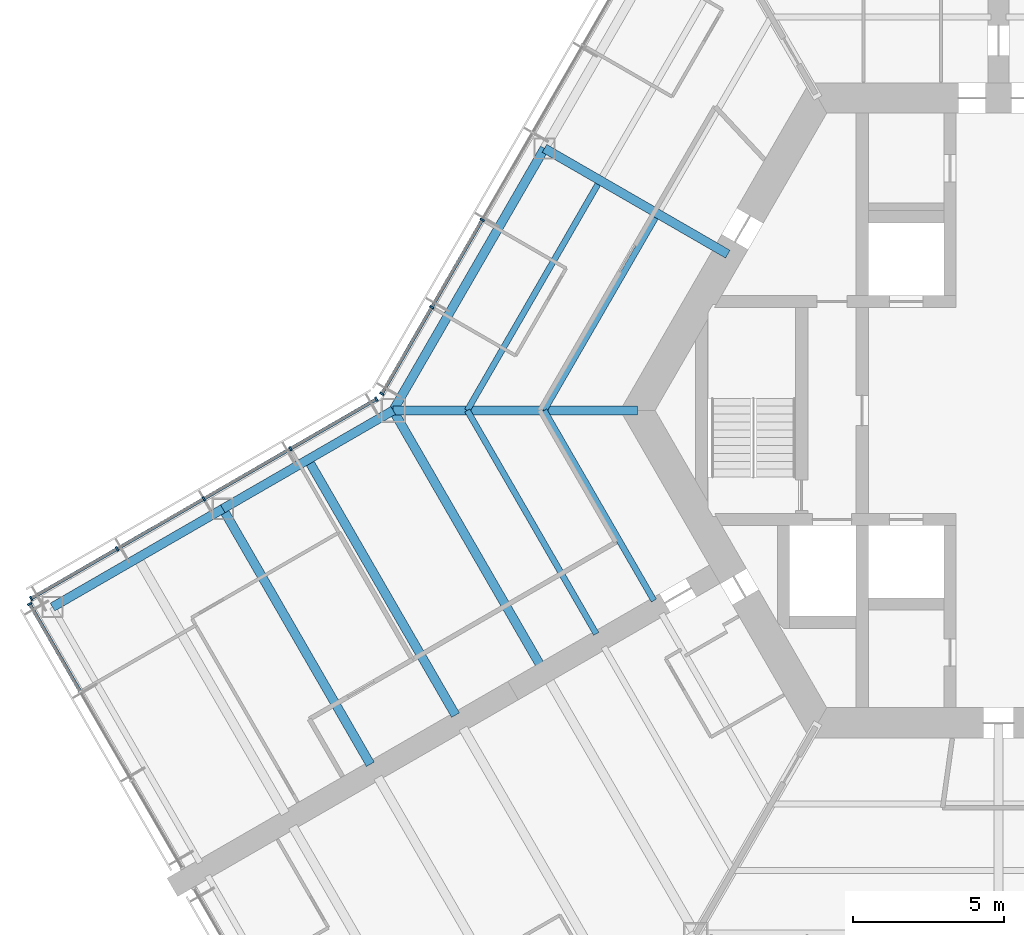
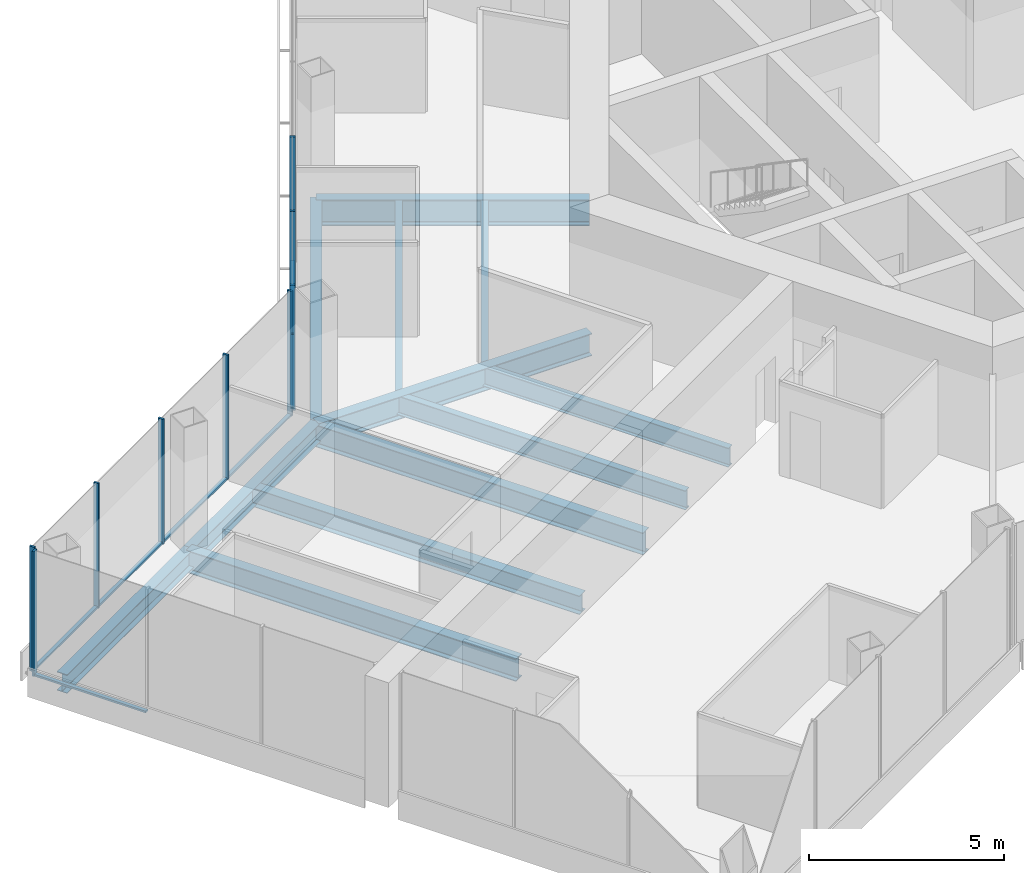
# One storey, part 4 of 18: 16 members, 12 beams, 3 elements without a shape of their own.
"""IFC4 building model written with IfcOpenShell, lengths in metres."""

import ifcopenshell
import ifcopenshell.guid

model = None  # the IFC model being written
_history = None  # IfcOwnerHistory: only IFC2X3 demands one
_inside = {}  # id of a spatial element -> (the spatial element, [elements in it])
_under = {}  # id of a project, library or spatial element -> (it, [spatial elements below it])
_declared = {}  # id of a project -> (the project, [libraries it declares])
_typed = {}  # id of a type object -> (the type object, [elements of that type])
_made_of = {}  # id of a material, layer set ... -> (it, [elements and type objects made of it])


def new_model(schema):
    """Start an empty IFC model of exactly this schema.

    Asked for "IFC4X3", IfcOpenShell would pick the latest addendum, in which some entities
    have other attributes; the version numbers below select the first issue.
    IFC2X3 requires an IfcOwnerHistory on every rooted entity: one is made here for all.
    """
    global model, _history
    if schema == "IFC4X3":
        model = ifcopenshell.file(schema_version=(4, 3, 0, 0))
    else:
        model = ifcopenshell.file(schema=schema)
    _inside.clear()
    _under.clear()
    _declared.clear()
    _typed.clear()
    _made_of.clear()
    _history = None
    if model.schema == "IFC2X3":
        org = make("IfcOrganization", Name="unknown")
        user = make(
            "IfcPersonAndOrganization",
            ThePerson=make("IfcPerson", FamilyName="unknown"),
            TheOrganization=org,
        )
        app = make(
            "IfcApplication",
            ApplicationDeveloper=org,
            Version="unknown",
            ApplicationFullName="unknown",
            ApplicationIdentifier="unknown",
        )
        _history = make(
            "IfcOwnerHistory",
            OwningUser=user,
            OwningApplication=app,
            ChangeAction="ADDED",
            CreationDate=0,
        )
    return model


def make(cls, **values):
    """One entity of the class cls with the attributes given. An attribute that is None is left unset."""
    return model.create_entity(
        cls, **{name: value for name, value in values.items() if value is not None}
    )


def rooted(cls, **values):
    """An entity with a GlobalId (a new one), such as an element, a storey or a relation."""
    return make(cls, GlobalId=ifcopenshell.guid.new(), OwnerHistory=_history, **values)


def si_unit(unit_type, name, prefix=None):
    """IfcSIUnit, for example si_unit("LENGTHUNIT", "METRE", prefix="MILLI")."""
    return make("IfcSIUnit", UnitType=unit_type, Prefix=prefix, Name=name)


def assignment(units):
    """IfcUnitAssignment: the units of a project."""
    return None if units is None else make("IfcUnitAssignment", Units=units)


def point(xyz):
    """IfcCartesianPoint."""
    return None if xyz is None else make("IfcCartesianPoint", Coordinates=xyz)


def direction(xyz):
    """IfcDirection."""
    return None if xyz is None else make("IfcDirection", DirectionRatios=xyz)


def frame(location, z_axis=None, x_axis=None):
    """IfcAxis2Placement3D, a coordinate frame: its origin and axes. An axis left out is left unset."""
    return make(
        "IfcAxis2Placement3D",
        Location=point(location),
        Axis=direction(z_axis),
        RefDirection=direction(x_axis),
    )


def frame_2d(location, x_axis=None):
    """IfcAxis2Placement2D, a coordinate frame in the plane: its origin and x axis."""
    return make(
        "IfcAxis2Placement2D", Location=point(location), RefDirection=direction(x_axis)
    )


def origin():
    """The frame at (0, 0, 0) with its axes left unset."""
    return frame((0.0, 0.0, 0.0))


def origin_2d():
    """The frame at (0, 0) in the plane with its x axis left unset."""
    return frame_2d((0.0, 0.0))


def place(relative_to, where):
    """IfcLocalPlacement: puts the frame where relative to a parent placement (None: the world)."""
    return make(
        "IfcLocalPlacement", PlacementRelTo=relative_to, RelativePlacement=where
    )


def context(
    kind, dimensions, precision=None, world=None, true_north=None, identifier=None
):
    """IfcGeometricRepresentationContext, for example the 3D "Model" context."""
    return make(
        "IfcGeometricRepresentationContext",
        ContextIdentifier=identifier,
        ContextType=kind,
        CoordinateSpaceDimension=dimensions,
        Precision=precision,
        WorldCoordinateSystem=world,
        TrueNorth=true_north,
    )


def subcontext(parent, identifier, kind, view, scale=None):
    """IfcGeometricRepresentationSubContext, for example "Body" below "Model"."""
    return make(
        "IfcGeometricRepresentationSubContext",
        ContextIdentifier=identifier,
        ContextType=kind,
        ParentContext=parent,
        TargetScale=scale,
        TargetView=view,
    )


def project(units=None, contexts=None):
    """IfcProject with its units and contexts."""
    return rooted(
        "IfcProject",
        Name="project",
        RepresentationContexts=contexts,
        UnitsInContext=assignment(units),
    )


def spatial(cls, under=None, at=None, **own):
    """A site, building, storey or space (cls), placed at a placement, below another one or the project."""
    s = rooted(cls, ObjectPlacement=at, **own)
    if under is not None:
        _under.setdefault(under.id(), (under, []))[1].append(s)
    return s


def profile(cls, at=None, kind="AREA", **sizes):
    """A parametric profile (cls). Its sizes go by their IFC names, for example OverallWidth=200.0."""
    return make(cls, ProfileType=kind, Position=at, **sizes)


def rectangle(**sizes):
    """IfcRectangleProfileDef."""
    return profile("IfcRectangleProfileDef", **sizes)


def i_section(**sizes):
    """IfcIShapeProfileDef."""
    return profile("IfcIShapeProfileDef", **sizes)


def extrude(swept, where, along, depth):
    """IfcExtrudedAreaSolid: the profile swept, set in the frame where, extruded along a direction by depth."""
    return make(
        "IfcExtrudedAreaSolid",
        SweptArea=swept,
        Position=where,
        ExtrudedDirection=direction(along),
        Depth=depth,
    )


def shape(context_of_items, identifier, shape_type, items):
    """IfcShapeRepresentation: the items that make up one representation, for example the "Body"."""
    return make(
        "IfcShapeRepresentation",
        ContextOfItems=context_of_items,
        RepresentationIdentifier=identifier,
        RepresentationType=shape_type,
        Items=items,
    )


def material(Name=None, Category=None):
    """IfcMaterial."""
    return make("IfcMaterial", Name=Name, Category=Category)


def material_profile(
    of_material, cross_section, Name=None, Category=None, Priority=None
):
    """IfcMaterialProfile: a cross section and its material."""
    return make(
        "IfcMaterialProfile",
        Name=Name,
        Material=of_material,
        Profile=cross_section,
        Priority=Priority,
        Category=Category,
    )


def profile_set(profiles, Name=None, composite=None):
    """IfcMaterialProfileSet."""
    return make(
        "IfcMaterialProfileSet",
        Name=Name,
        MaterialProfiles=profiles,
        CompositeProfile=composite,
    )


def made_of(thing, what):
    """Note that an element or type object is made of a material, layer set ...; save() writes the relation."""
    if what is not None:
        _made_of.setdefault(what.id(), (what, []))[1].append(thing)
    return thing


def type_object(cls, material=None, **own):
    """A type object (cls), such as IfcWallType, which elements share."""
    return made_of(rooted(cls, **own), material)


def element(
    cls,
    number,
    at=None,
    inside=None,
    cuts=None,
    type_object=None,
    material=None,
    context=None,
    identifier="Body",
    shape_type=None,
    held_by="IfcProductDefinitionShape",
    body=None,
    shapes=None,
    **own,
):
    """One element of the class cls, such as IfcWall. Its Tag is "e" and its number.

    at: its placement. inside: the storey or other place that contains it. cuts: it is an
    opening in that element (IfcRelVoidsElement). A single representation is given by context,
    identifier, shape_type and body (its items); several are given by shapes. held_by: the class
    of the entity that holds the representations. save() writes the other relations.
    """
    e = rooted(cls, Tag="e%d" % number, ObjectPlacement=at, **own)
    if body is not None:
        shapes = [shape(context, identifier, shape_type, body)]
    if shapes is not None:
        e.Representation = make(held_by, Representations=shapes)
    if inside is not None:
        _inside.setdefault(inside.id(), (inside, []))[1].append(e)
    if cuts is not None:
        rooted(
            "IfcRelVoidsElement", RelatingBuildingElement=cuts, RelatedOpeningElement=e
        )
    if type_object is not None:
        _typed.setdefault(type_object.id(), (type_object, []))[1].append(e)
    return made_of(e, material)


def aggregate(whole, parts):
    """IfcRelAggregates: a whole, such as a stair, and the parts it consists of."""
    return rooted("IfcRelAggregates", RelatingObject=whole, RelatedObjects=parts)


def save(model, path):
    """Write the relations noted so far, then the file.

    IfcRelAggregates (storeys below a building ...), IfcRelContainedInSpatialStructure (elements
    in a storey), IfcRelDefinesByType, IfcRelAssociatesMaterial and IfcRelDeclares: one each for
    every whole, place, type object, material and project.
    """
    for whole, parts in _under.values():
        aggregate(whole, parts)
    for where, things in _inside.values():
        rooted(
            "IfcRelContainedInSpatialStructure",
            RelatedElements=things,
            RelatingStructure=where,
        )
    for kind, things in _typed.values():
        rooted("IfcRelDefinesByType", RelatedObjects=things, RelatingType=kind)
    for what, things in _made_of.values():
        rooted("IfcRelAssociatesMaterial", RelatedObjects=things, RelatingMaterial=what)
    for by, libraries in _declared.values():
        rooted("IfcRelDeclares", RelatingContext=by, RelatedDefinitions=libraries)
    model.write(path)


model = new_model("IFC4")

# Units and contexts
model_context = context("Model", 3, precision=1e-05, world=origin(), true_north=direction((0.0, 1.0)))
body_context = subcontext(model_context, "Body", "Model", "MODEL_VIEW")
ifc_project = project(units=[si_unit("LENGTHUNIT", "METRE"), si_unit("AREAUNIT", "SQUARE_METRE"), si_unit("VOLUMEUNIT", "CUBIC_METRE"), si_unit("PLANEANGLEUNIT", "RADIAN"), si_unit("MASSUNIT", "GRAM", prefix="KILO")], contexts=[model_context])

# Site, building, storey
site_placement = place(None, origin())
site = spatial("IfcSite", under=ifc_project, at=site_placement, CompositionType="ELEMENT")
building_placement = place(site_placement, origin())
building = spatial("IfcBuilding", under=site, at=building_placement, Name="Kasaneha Research Tower", CompositionType="ELEMENT")
storey_placement = place(building_placement, frame((0.0, 0.0, 152.60009765625)))
storey = spatial("IfcBuildingStorey", under=building, at=storey_placement, Name="L38", CompositionType="ELEMENT", Elevation=152.60009765625)

# Beams
ifc_material_1 = material(Name="Steel SN490B", Category="steel")
ifc_material_profile_1 = material_profile(ifc_material_1, i_section(OverallWidth=0.199951171875, OverallDepth=0.60009765625, WebThickness=0.010986328125, FlangeThickness=0.01708984375, FilletRadius=0.012939453125, at=origin_2d()), Name="H-600x200x11x17")
ifc_profile_set_1 = profile_set([ifc_material_profile_1], Name="Steel SN490B")
beam_type_1 = type_object("IfcBeamType", Name="B1-3 secondary beam H-600x200x11x17", PredefinedType="JOIST", material=ifc_profile_set_1)
beam_1_placement = place(storey_placement, frame((-15.010986328125, 0.0, -0.4501953125), z_axis=(0.499994443168, 0.866028611999, 0.0), x_axis=(-0.866028611999, 0.499994443168, 0.0)))
element("IfcBeam", 1, at=beam_1_placement, inside=storey, type_object=beam_type_1, Name="Secondary beam RS150R1 L38", PredefinedType="JOIST", context=body_context, shape_type="SweptSolid", body=[
    extrude(i_section(OverallWidth=0.199951171875, OverallDepth=0.60009765625, WebThickness=0.010986328125, FlangeThickness=0.01708984375, FilletRadius=0.012939453125, at=origin_2d()), origin(), (0.0, 0.0, 1.0), 7.35546875),
])
beam_2_placement = place(storey_placement, frame((-17.551513671875, 0.0, -0.4501953125), z_axis=(0.5000050195, 0.866022505755, 0.0), x_axis=(-0.866022505755, 0.5000050195, 0.0)))
element("IfcBeam", 2, at=beam_2_placement, inside=storey, type_object=beam_type_1, Name="Secondary beam RS150R2 L38", PredefinedType="JOIST", context=body_context, shape_type="SweptSolid", body=[
    extrude(i_section(OverallWidth=0.199951171875, OverallDepth=0.60009765625, WebThickness=0.010986328125, FlangeThickness=0.01708984375, FilletRadius=0.012939453125, at=origin_2d()), origin(), (0.0, 0.0, 1.0), 8.6259765625),
])
beam_3_placement = place(storey_placement, frame((-15.010986328125, 0.0, -0.4501953125), z_axis=(0.499993340521, -0.866029248602, 0.0), x_axis=(0.866029248602, 0.499993340521, 0.0)))
element("IfcBeam", 3, at=beam_3_placement, inside=storey, type_object=beam_type_1, Name="Secondary beam RS210L1 L38", PredefinedType="JOIST", context=body_context, shape_type="SweptSolid", body=[
    extrude(i_section(OverallWidth=0.199951171875, OverallDepth=0.60009765625, WebThickness=0.010986328125, FlangeThickness=0.01708984375, FilletRadius=0.012939453125, at=origin_2d()), origin(), (0.0, 0.0, 1.0), 7.25537109375),
])
beam_4_placement = place(storey_placement, frame((-17.551513671875, 0.0, -0.4501953125), z_axis=(0.500004205306, -0.866022975836, 0.0), x_axis=(0.866022975836, 0.500004205306, 0.0)))
element("IfcBeam", 4, at=beam_4_placement, inside=storey, type_object=beam_type_1, Name="Secondary beam RS210L2 L38", PredefinedType="JOIST", context=body_context, shape_type="SweptSolid", body=[
    extrude(i_section(OverallWidth=0.199951171875, OverallDepth=0.60009765625, WebThickness=0.010986328125, FlangeThickness=0.01708984375, FilletRadius=0.012939453125, at=origin_2d()), origin(), (0.0, 0.0, 1.0), 8.52587890625),
])
ifc_material_2 = material(Name="Steel SN490B", Category="steel")
ifc_material_profile_2 = material_profile(ifc_material_2, i_section(OverallWidth=0.300048828125, OverallDepth=0.58203125, WebThickness=0.011962890625, FlangeThickness=0.01708984375, FilletRadius=0.012939453125, at=origin_2d()), Name="H-582x300x12x17")
ifc_profile_set_2 = profile_set([ifc_material_profile_2], Name="Steel SN490B")
beam_type_2 = type_object("IfcBeamType", Name="B2-3 secondary beam H-582x300x12x17", PredefinedType="JOIST", material=ifc_profile_set_2)
beam_5_placement = place(storey_placement, frame((-22.814697265625, -1.625, -0.441162109375), z_axis=(0.499995560238, -0.866027967067, 0.0), x_axis=(0.866027967067, 0.499995560238, 0.0)))
element("IfcBeam", 5, at=beam_5_placement, inside=storey, type_object=beam_type_2, Name="Secondary beam WBBP1 L38", PredefinedType="JOIST", context=body_context, shape_type="SweptSolid", body=[
    extrude(i_section(OverallWidth=0.300048828125, OverallDepth=0.58203125, WebThickness=0.011962890625, FlangeThickness=0.01708984375, FilletRadius=0.012939453125, at=origin_2d()), origin(), (0.0, 0.0, 1.0), 9.75),
])

# Curtain wall, members
ifc_material_3 = material(Name="Glass and aluminium", Category="aluminium")
curtain_wall_type = type_object("IfcCurtainWallType", Name="Mid-rise office curtain wall", PredefinedType="USERDEFINED", material=ifc_material_3)
curtain_wall_1_placement = place(storey_placement, origin())
curtain_wall_1 = element("IfcCurtainWall", 6, at=curtain_wall_1_placement, inside=storey, type_object=curtain_wall_type, Name="CW-O2 L38 run 08a", ObjectType="UNITISED CURTAIN WALL", PredefinedType="USERDEFINED")
ifc_material_4 = material(Name="Aluminium 6063-T6", Category="aluminium")
ifc_material_profile_3 = material_profile(ifc_material_4, rectangle(XDim=0.06005859375, YDim=0.14990234375, at=origin_2d()), Name="CW-O2 mullion 60x150")
ifc_profile_set_3 = profile_set([ifc_material_profile_3], Name="Aluminium 6063-T6")
member_type_1 = type_object("IfcMemberType", Name="CW-O2 mullion", PredefinedType="MULLION", material=ifc_profile_set_3)
member_1_placement = place(storey_placement, frame((-17.058349609375, 6.295166015625, 0.0), z_axis=(0.0, 0.0, 1.0), x_axis=(-0.499999979232, -0.866025415775, 0.0)))
member_1 = element("IfcMember", 7, at=member_1_placement, type_object=member_type_1, Name="CW-O2 mullion 5", PredefinedType="MULLION", context=body_context, shape_type="SweptSolid", body=[
    extrude(rectangle(XDim=0.06005859375, YDim=0.14990234375, at=origin_2d()), origin(), (0.0, 0.0, 1.0), 3.89990234375),
])
member_2_placement = place(storey_placement, frame((-18.723876953125, 3.410400390625, 0.0), z_axis=(0.0, 0.0, 1.0), x_axis=(-0.499999979232, -0.866025415775, 0.0)))
member_2 = element("IfcMember", 8, at=member_2_placement, type_object=member_type_1, Name="CW-O2 mullion 6", PredefinedType="MULLION", context=body_context, shape_type="SweptSolid", body=[
    extrude(rectangle(XDim=0.06005859375, YDim=0.14990234375, at=origin_2d()), origin(), (0.0, 0.0, 1.0), 3.89990234375),
])
member_3_placement = place(storey_placement, frame((-20.374267578125, 0.5517578125, 0.0), z_axis=(0.0, 0.0, 1.0), x_axis=(-0.499999979232, -0.866025415775, 0.0)))
member_3 = element("IfcMember", 9, at=member_3_placement, type_object=member_type_1, Name="CW-O2 mullion 7", PredefinedType="MULLION", context=body_context, shape_type="SweptSolid", body=[
    extrude(rectangle(XDim=0.06005859375, YDim=0.14990234375, at=origin_2d()), origin(), (0.0, 0.0, 1.0), 3.89990234375),
])

curtain_wall_2_placement = place(storey_placement, origin())
curtain_wall_2 = element("IfcCurtainWall", 10, at=curtain_wall_2_placement, inside=storey, type_object=curtain_wall_type, Name="CW-O2 L38 run 09a", ObjectType="UNITISED CURTAIN WALL", PredefinedType="USERDEFINED")
member_4_placement = place(storey_placement, frame((-20.5517578125, 0.374267578125, 0.0), z_axis=(0.0, 0.0, 1.0), x_axis=(-0.866025411464, -0.499999986699, 0.0)))
member_4 = element("IfcMember", 11, at=member_4_placement, type_object=member_type_1, Name="CW-O2 mullion 1", PredefinedType="MULLION", context=body_context, shape_type="SweptSolid", body=[
    extrude(rectangle(XDim=0.06005859375, YDim=0.14990234375, at=origin_2d()), origin(), (0.0, 0.0, 1.0), 3.89990234375),
])
member_5_placement = place(storey_placement, frame((-23.39208984375, -1.265625, 0.0), z_axis=(0.0, 0.0, 1.0), x_axis=(-0.866025411464, -0.499999986699, 0.0)))
member_5 = element("IfcMember", 12, at=member_5_placement, type_object=member_type_1, Name="CW-O2 mullion 2", PredefinedType="MULLION", context=body_context, shape_type="SweptSolid", body=[
    extrude(rectangle(XDim=0.06005859375, YDim=0.14990234375, at=origin_2d()), origin(), (0.0, 0.0, 1.0), 3.89990234375),
])
member_6_placement = place(storey_placement, frame((-26.258544921875, -2.920654296875, 0.0), z_axis=(0.0, 0.0, 1.0), x_axis=(-0.866025411464, -0.499999986699, 0.0)))
member_6 = element("IfcMember", 13, at=member_6_placement, type_object=member_type_1, Name="CW-O2 mullion 3", PredefinedType="MULLION", context=body_context, shape_type="SweptSolid", body=[
    extrude(rectangle(XDim=0.06005859375, YDim=0.14990234375, at=origin_2d()), origin(), (0.0, 0.0, 1.0), 3.89990234375),
])
member_7_placement = place(storey_placement, frame((-29.125, -4.575439453125, 0.0), z_axis=(0.0, 0.0, 1.0), x_axis=(-0.866025411464, -0.499999986699, 0.0)))
member_7 = element("IfcMember", 14, at=member_7_placement, type_object=member_type_1, Name="CW-O2 mullion 4", PredefinedType="MULLION", context=body_context, shape_type="SweptSolid", body=[
    extrude(rectangle(XDim=0.06005859375, YDim=0.14990234375, at=origin_2d()), origin(), (0.0, 0.0, 1.0), 3.89990234375),
])
member_8_placement = place(storey_placement, frame((-31.96533203125, -6.21533203125, 0.0), z_axis=(0.0, 0.0, 1.0), x_axis=(-0.866025411464, -0.499999986699, 0.0)))
member_8 = element("IfcMember", 15, at=member_8_placement, type_object=member_type_1, Name="CW-O2 mullion 5", PredefinedType="MULLION", context=body_context, shape_type="SweptSolid", body=[
    extrude(rectangle(XDim=0.06005859375, YDim=0.14990234375, at=origin_2d()), origin(), (0.0, 0.0, 1.0), 3.89990234375),
])

# Curtain wall, member
curtain_wall_3_placement = place(storey_placement, origin())
curtain_wall_3 = element("IfcCurtainWall", 16, at=curtain_wall_3_placement, inside=storey, type_object=curtain_wall_type, Name="CW-O2 L38 run 10a", ObjectType="UNITISED CURTAIN WALL", PredefinedType="USERDEFINED")
member_9_placement = place(storey_placement, frame((-32.012939453125, -6.39306640625, 0.0), z_axis=(0.0, 0.0, 1.0), x_axis=(0.500000011442, -0.866025397178, 0.0)))
member_9 = element("IfcMember", 17, at=member_9_placement, type_object=member_type_1, Name="CW-O2 mullion 1", PredefinedType="MULLION", context=body_context, shape_type="SweptSolid", body=[
    extrude(rectangle(XDim=0.06005859375, YDim=0.14990234375, at=origin_2d()), origin(), (0.0, 0.0, 1.0), 3.89990234375),
])

# Member
ifc_material_5 = material(Name="Aluminium 6063-T6", Category="aluminium")
ifc_material_profile_4 = material_profile(ifc_material_5, rectangle(XDim=0.110107421875, YDim=0.06005859375, at=origin_2d()), Name="CW-O2 transom 110x60")
ifc_profile_set_4 = profile_set([ifc_material_profile_4], Name="Aluminium 6063-T6")
member_type_2 = type_object("IfcMemberType", Name="CW-O2 transom", PredefinedType="USERDEFINED", material=ifc_profile_set_4)
member_10_placement = place(storey_placement, frame((-17.0732421875, 6.269287109375, 0.02978515625), z_axis=(-0.500000270186, -0.866025247793, 0.0), x_axis=(0.866025247793, -0.500000270186, 0.0)))
member_10 = element("IfcMember", 18, at=member_10_placement, type_object=member_type_2, Name="CW-O2 transom 5", ObjectType="TRANSOM", PredefinedType="USERDEFINED", context=body_context, shape_type="SweptSolid", body=[
    extrude(rectangle(XDim=0.110107421875, YDim=0.06005859375, at=origin_2d()), origin(), (0.0, 0.0, 1.0), 3.27099609375),
])

member_11_placement = place(storey_placement, frame((-18.73876953125, 3.384521484375, 0.02978515625), z_axis=(-0.499987643696, -0.866032537582, 0.0), x_axis=(0.866032537582, -0.499987643696, 0.0)))
member_11 = element("IfcMember", 19, at=member_11_placement, type_object=member_type_2, Name="CW-O2 transom 6", ObjectType="TRANSOM", PredefinedType="USERDEFINED", context=body_context, shape_type="SweptSolid", body=[
    extrude(rectangle(XDim=0.110107421875, YDim=0.06005859375, at=origin_2d()), origin(), (0.0, 0.0, 1.0), 3.24072265625),
])

aggregate(curtain_wall_1, [member_1, member_2, member_3, member_10, member_11])

member_12_placement = place(storey_placement, frame((-20.577880859375, 0.359130859375, 0.02978515625), z_axis=(-0.866022692473, -0.500004696101, 0.0), x_axis=(0.500004696101, -0.866022692473, 0.0)))
member_12 = element("IfcMember", 20, at=member_12_placement, type_object=member_type_2, Name="CW-O2 transom 1", ObjectType="TRANSOM", PredefinedType="USERDEFINED", context=body_context, shape_type="SweptSolid", body=[
    extrude(rectangle(XDim=0.110107421875, YDim=0.06005859375, at=origin_2d()), origin(), (0.0, 0.0, 1.0), 3.2197265625),
])

member_13_placement = place(storey_placement, frame((-23.418212890625, -1.28076171875, 0.02978515625), z_axis=(-0.86604797581, -0.499960902066, 0.0), x_axis=(0.499960902066, -0.86604797581, 0.0)))
member_13 = element("IfcMember", 21, at=member_13_placement, type_object=member_type_2, Name="CW-O2 transom 2", ObjectType="TRANSOM", PredefinedType="USERDEFINED", context=body_context, shape_type="SweptSolid", body=[
    extrude(rectangle(XDim=0.110107421875, YDim=0.06005859375, at=origin_2d()), origin(), (0.0, 0.0, 1.0), 3.249755859375),
])

member_14_placement = place(storey_placement, frame((-26.28466796875, -2.935546875, 0.02978515625), z_axis=(-0.86599666273, -0.500049777664, 0.0), x_axis=(0.500049777664, -0.86599666273, 0.0)))
member_14 = element("IfcMember", 22, at=member_14_placement, type_object=member_type_2, Name="CW-O2 transom 3", ObjectType="TRANSOM", PredefinedType="USERDEFINED", context=body_context, shape_type="SweptSolid", body=[
    extrude(rectangle(XDim=0.110107421875, YDim=0.06005859375, at=origin_2d()), origin(), (0.0, 0.0, 1.0), 3.249755859375),
])

member_15_placement = place(storey_placement, frame((-29.15087890625, -4.590576171875, 0.02978515625), z_axis=(-0.866041647767, -0.499971863542, 0.0), x_axis=(0.499971863542, -0.866041647767, 0.0)))
member_15 = element("IfcMember", 23, at=member_15_placement, type_object=member_type_2, Name="CW-O2 transom 4", ObjectType="TRANSOM", PredefinedType="USERDEFINED", context=body_context, shape_type="SweptSolid", body=[
    extrude(rectangle(XDim=0.110107421875, YDim=0.06005859375, at=origin_2d()), origin(), (0.0, 0.0, 1.0), 3.219970703125),
])

aggregate(curtain_wall_2, [member_4, member_5, member_6, member_7, member_8, member_12, member_13, member_14, member_15])

member_16_placement = place(storey_placement, frame((-31.998046875, -6.4189453125, 0.02978515625), z_axis=(0.500021914551, -0.866012751043, 0.0), x_axis=(0.866012751043, 0.500021914551, 0.0)))
member_16 = element("IfcMember", 24, at=member_16_placement, type_object=member_type_2, Name="CW-O2 transom 1", ObjectType="TRANSOM", PredefinedType="USERDEFINED", context=body_context, shape_type="SweptSolid", body=[
    extrude(rectangle(XDim=0.110107421875, YDim=0.06005859375, at=origin_2d()), origin(), (0.0, 0.0, 1.0), 3.293212890625),
])

aggregate(curtain_wall_3, [member_9, member_16])

# Beams
ifc_material_6 = material(Name="Steel SN490B", Category="steel")
ifc_material_profile_5 = material_profile(ifc_material_6, i_section(OverallWidth=0.300048828125, OverallDepth=0.699951171875, WebThickness=0.012939453125, FlangeThickness=0.02392578125, FilletRadius=0.01806640625, at=origin_2d()), Name="H-700x300x13x24")
ifc_profile_set_5 = profile_set([ifc_material_profile_5], Name="Steel SN490B")
beam_type_3 = type_object("IfcBeamType", Name="G1-3 radial girder H-700x300x13x24", PredefinedType="BEAM", material=ifc_profile_set_5)
beam_6_placement = place(storey_placement, frame((-11.92236328125, 0.0, -0.5), z_axis=(-1.0, 0.0, 0.0), x_axis=(0.0, -1.0, 0.0)))
element("IfcBeam", 25, at=beam_6_placement, inside=storey, type_object=beam_type_3, Name="Radial girder RV180 L38", PredefinedType="BEAM", context=body_context, shape_type="SweptSolid", body=[
    extrude(i_section(OverallWidth=0.300048828125, OverallDepth=0.699951171875, WebThickness=0.012939453125, FlangeThickness=0.02392578125, FilletRadius=0.01806640625, at=origin_2d()), origin(), (0.0, 0.0, 1.0), 8.07763671875),
])
ifc_material_7 = material(Name="Steel SN490B", Category="steel")
ifc_material_profile_6 = material_profile(ifc_material_7, i_section(OverallWidth=0.300048828125, OverallDepth=0.800048828125, WebThickness=0.013916015625, FlangeThickness=0.02587890625, FilletRadius=0.01806640625, at=origin_2d()), Name="H-800x300x14x26")
ifc_profile_set_6 = profile_set([ifc_material_profile_6], Name="Steel SN490B")
beam_type_4 = type_object("IfcBeamType", Name="G2-3 radial girder H-800x300x14x26", PredefinedType="BEAM", material=ifc_profile_set_6)
beam_7_placement = place(storey_placement, frame((-8.941650390625, 5.16259765625, -0.550048828125), z_axis=(-0.866039713508, 0.499975214012, 0.0), x_axis=(-0.499975214012, -0.866039713508, 0.0)))
element("IfcBeam", 26, at=beam_7_placement, inside=storey, type_object=beam_type_4, Name="Radial girder RM150 L38", PredefinedType="BEAM", context=body_context, shape_type="SweptSolid", body=[
    extrude(i_section(OverallWidth=0.300048828125, OverallDepth=0.800048828125, WebThickness=0.013916015625, FlangeThickness=0.02587890625, FilletRadius=0.01806640625, at=origin_2d()), origin(), (0.0, 0.0, 1.0), 6.995361328125),
])
ifc_material_8 = material(Name="Steel SN490B", Category="steel")
ifc_material_profile_7 = material_profile(ifc_material_8, i_section(OverallWidth=0.300048828125, OverallDepth=0.69189453125, WebThickness=0.012939453125, FlangeThickness=0.02001953125, FilletRadius=0.01806640625, at=origin_2d()), Name="H-692x300x13x20")
ifc_profile_set_7 = profile_set([ifc_material_profile_7], Name="Steel SN490B")
beam_type_5 = type_object("IfcBeamType", Name="G3-3 plate edge girder H-692x300x13x20", PredefinedType="BEAM", material=ifc_profile_set_7)
beam_8_placement = place(storey_placement, frame((-20.0, 0.0, -0.49609375), z_axis=(0.499995560238, -0.866027967067, 0.0), x_axis=(0.866027967067, 0.499995560238, 0.0)))
element("IfcBeam", 27, at=beam_8_placement, inside=storey, type_object=beam_type_5, Name="Plate edge girder PEBP L38", PredefinedType="BEAM", context=body_context, shape_type="SweptSolid", body=[
    extrude(i_section(OverallWidth=0.300048828125, OverallDepth=0.69189453125, WebThickness=0.012939453125, FlangeThickness=0.02001953125, FilletRadius=0.01806640625, at=origin_2d()), origin(), (0.0, 0.0, 1.0), 9.75),
])
ifc_material_9 = material(Name="Steel SN490B", Category="steel")
ifc_material_profile_8 = material_profile(ifc_material_9, i_section(OverallWidth=0.300048828125, OverallDepth=0.699951171875, WebThickness=0.012939453125, FlangeThickness=0.02392578125, FilletRadius=0.01806640625, at=origin_2d()), Name="H-700x300x13x24")
ifc_profile_set_8 = profile_set([ifc_material_profile_8], Name="Steel SN490B")
beam_type_6 = type_object("IfcBeamType", Name="G4-3 wing girder H-700x300x13x24", PredefinedType="BEAM", material=ifc_profile_set_8)
beam_9_placement = place(storey_placement, frame((-25.629150390625, -3.25, -0.5), z_axis=(0.499995560238, -0.866027967067, 0.0), x_axis=(0.866027967067, 0.499995560238, 0.0)))
element("IfcBeam", 28, at=beam_9_placement, inside=storey, type_object=beam_type_6, Name="Wing girder WGBP L38", PredefinedType="BEAM", context=body_context, shape_type="SweptSolid", body=[
    extrude(i_section(OverallWidth=0.300048828125, OverallDepth=0.699951171875, WebThickness=0.012939453125, FlangeThickness=0.02392578125, FilletRadius=0.01806640625, at=origin_2d()), origin(), (0.0, 0.0, 1.0), 9.75),
])
ifc_material_10 = material(Name="Steel SN490B", Category="steel")
ifc_material_profile_9 = material_profile(ifc_material_10, i_section(OverallWidth=0.300048828125, OverallDepth=0.69189453125, WebThickness=0.012939453125, FlangeThickness=0.02001953125, FilletRadius=0.01806640625, at=origin_2d()), Name="H-692x300x13x20")
ifc_profile_set_9 = profile_set([ifc_material_profile_9], Name="Steel SN490B")
beam_type_7 = type_object("IfcBeamType", Name="SB1-3 spandrel beam H-692x300x13x20", PredefinedType="SPANDREL", material=ifc_profile_set_9)
beam_10_placement = place(storey_placement, frame((-20.0, 0.0, -0.49609375), z_axis=(0.500004234368, 0.866022959057, 0.0), x_axis=(-0.866022959057, 0.500004234368, 0.0)))
element("IfcBeam", 29, at=beam_10_placement, inside=storey, type_object=beam_type_7, Name="Spandrel beam SR150R L38", PredefinedType="SPANDREL", context=body_context, shape_type="SweptSolid", body=[
    extrude(i_section(OverallWidth=0.300048828125, OverallDepth=0.69189453125, WebThickness=0.012939453125, FlangeThickness=0.02001953125, FilletRadius=0.01806640625, at=origin_2d()), origin(), (0.0, 0.0, 1.0), 10.0),
])
ifc_material_11 = material(Name="Steel SN490B", Category="steel")
ifc_material_profile_10 = material_profile(ifc_material_11, i_section(OverallWidth=0.300048828125, OverallDepth=0.58203125, WebThickness=0.011962890625, FlangeThickness=0.01708984375, FilletRadius=0.012939453125, at=origin_2d()), Name="H-582x300x12x17")
ifc_profile_set_10 = profile_set([ifc_material_profile_10], Name="Steel SN490B")
beam_type_8 = type_object("IfcBeamType", Name="SB2-3 spandrel beam H-582x300x12x17", PredefinedType="SPANDREL", material=ifc_profile_set_10)
for number, where, z_axis, x_axis, name in (
    (30, (-20.0, 0.0, -0.441162109375), (-0.866024837091, -0.50000098154, 0.0), (0.50000098154, -0.866024837091, 0.0), "Spandrel beam WSBP1 L38"),
    (31, (-25.629150390625, -3.25, -0.441162109375), (-0.866024837091, -0.50000098154, 0.0), (0.50000098154, -0.866024837091, 0.0), "Spandrel beam WSBP2 L38"),
):
    element("IfcBeam", number, at=place(storey_placement, frame(where, z_axis=z_axis, x_axis=x_axis)), inside=storey, type_object=beam_type_8, Name=name, PredefinedType="SPANDREL", context=body_context, shape_type="SweptSolid", body=[
        extrude(i_section(OverallWidth=0.300048828125, OverallDepth=0.58203125, WebThickness=0.011962890625, FlangeThickness=0.01708984375, FilletRadius=0.012939453125, at=origin_2d()), origin(), (0.0, 0.0, 1.0), 6.5),
    ])

save(model, "model.ifc")
